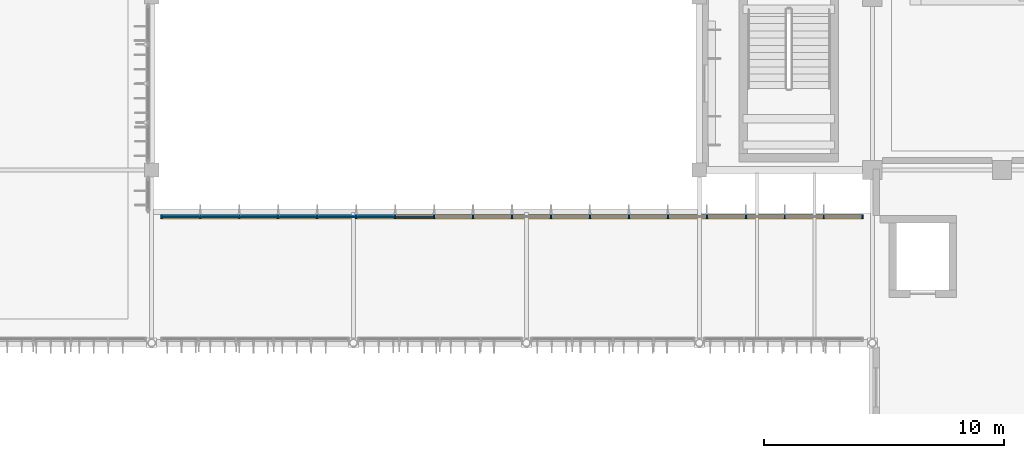
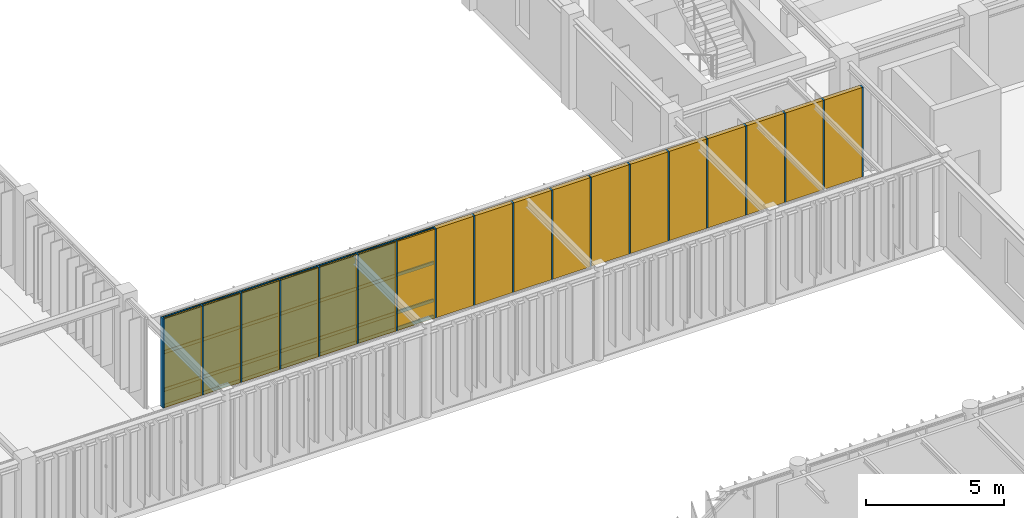
# One storey, part 73 of 104: 47 members, 18 plates, 1 curtain wall.
"""IFC4 building model written with IfcOpenShell, lengths in metres."""

from ifc_helpers import new_model, si_unit, direction, frame, frame_2d, origin, origin_2d, place, context, subcontext, project, spatial, rectangle, extrude, material, layer, layer_set, material_profile, profile_set, type_object, element, aggregate, save


model = new_model("IFC4")

# Units and contexts
model_context = context("Model", 3, precision=1e-05, world=origin(), true_north=direction((0.0, 1.0)))
body_context = subcontext(model_context, "Body", "Model", "MODEL_VIEW")
ifc_project = project(units=[si_unit("LENGTHUNIT", "METRE"), si_unit("AREAUNIT", "SQUARE_METRE"), si_unit("VOLUMEUNIT", "CUBIC_METRE"), si_unit("PLANEANGLEUNIT", "RADIAN"), si_unit("MASSUNIT", "GRAM", prefix="KILO")], contexts=[model_context])

# Member
ifc_material_1 = material(Name="Anodised Bronze Aluminium 6063-T6", Category="aluminium")
ifc_material_profile_1 = material_profile(ifc_material_1, rectangle(XDim=0.06005859375, YDim=0.179931640625, at=origin_2d()), Name="ALU MULLION 60x180")
ifc_profile_set_1 = profile_set([ifc_material_profile_1], Name="Anodised Bronze Aluminium 6063-T6")
member_type_1 = type_object("IfcMemberType", Name="Curtain-Wall Primary Mullion 60x180", PredefinedType="MULLION", material=ifc_profile_set_1)
site_placement = place(None, origin())
building_placement = place(site_placement, origin())
storey_placement = place(building_placement, frame((0.0, 0.0, 9.0)))
member_1_placement = place(storey_placement, frame((28.0, 49.85009765625, 0.0), z_axis=(0.0, 0.0, 1.0), x_axis=(1.0, 0.0, 0.0)))
member_1 = element("IfcMember", 1, at=member_1_placement, type_object=member_type_1, Name="Mullion CWM-01 CW-WLNK-N-L02-M01", PredefinedType="MULLION", context=body_context, shape_type="SweptSolid", body=[
    extrude(rectangle(XDim=0.06005859375, YDim=0.179931640625, at=origin_2d()), origin(), (0.0, 0.0, 1.0), 3.93994140625),
])

member_2_placement = place(storey_placement, frame((29.622314453125, 49.85009765625, 0.0), z_axis=(0.0, 0.0, 1.0), x_axis=(1.0, 0.0, 0.0)))
member_2 = element("IfcMember", 2, at=member_2_placement, type_object=member_type_1, Name="Mullion CWM-01 CW-WLNK-N-L02-M02", PredefinedType="MULLION", context=body_context, shape_type="SweptSolid", body=[
    extrude(rectangle(XDim=0.06005859375, YDim=0.179931640625, at=origin_2d()), origin(), (0.0, 0.0, 1.0), 3.93994140625),
])

member_3_placement = place(storey_placement, frame((31.244384765625, 49.85009765625, 0.0), z_axis=(0.0, 0.0, 1.0), x_axis=(1.0, 0.0, 0.0)))
member_3 = element("IfcMember", 3, at=member_3_placement, type_object=member_type_1, Name="Mullion CWM-01 CW-WLNK-N-L02-M03", PredefinedType="MULLION", context=body_context, shape_type="SweptSolid", body=[
    extrude(rectangle(XDim=0.06005859375, YDim=0.179931640625, at=origin_2d()), origin(), (0.0, 0.0, 1.0), 3.93994140625),
])

member_4_placement = place(storey_placement, frame((32.86669921875, 49.85009765625, 0.0), z_axis=(0.0, 0.0, 1.0), x_axis=(1.0, 0.0, 0.0)))
member_4 = element("IfcMember", 4, at=member_4_placement, type_object=member_type_1, Name="Mullion CWM-01 CW-WLNK-N-L02-M04", PredefinedType="MULLION", context=body_context, shape_type="SweptSolid", body=[
    extrude(rectangle(XDim=0.06005859375, YDim=0.179931640625, at=origin_2d()), origin(), (0.0, 0.0, 1.0), 3.93994140625),
])

member_5_placement = place(storey_placement, frame((34.489013671875, 49.85009765625, 0.0), z_axis=(0.0, 0.0, 1.0), x_axis=(1.0, 0.0, 0.0)))
member_5 = element("IfcMember", 5, at=member_5_placement, type_object=member_type_1, Name="Mullion CWM-01 CW-WLNK-N-L02-M05", PredefinedType="MULLION", context=body_context, shape_type="SweptSolid", body=[
    extrude(rectangle(XDim=0.06005859375, YDim=0.179931640625, at=origin_2d()), origin(), (0.0, 0.0, 1.0), 3.93994140625),
])

member_6_placement = place(storey_placement, frame((36.111083984375, 49.85009765625, 0.0), z_axis=(0.0, 0.0, 1.0), x_axis=(1.0, 0.0, 0.0)))
member_6 = element("IfcMember", 6, at=member_6_placement, type_object=member_type_1, Name="Mullion CWM-01 CW-WLNK-N-L02-M06", PredefinedType="MULLION", context=body_context, shape_type="SweptSolid", body=[
    extrude(rectangle(XDim=0.06005859375, YDim=0.179931640625, at=origin_2d()), origin(), (0.0, 0.0, 1.0), 3.93994140625),
])

member_7_placement = place(storey_placement, frame((37.7333984375, 49.85009765625, 0.0), z_axis=(0.0, 0.0, 1.0), x_axis=(1.0, 0.0, 0.0)))
member_7 = element("IfcMember", 7, at=member_7_placement, type_object=member_type_1, Name="Mullion CWM-01 CW-WLNK-N-L02-M07", PredefinedType="MULLION", context=body_context, shape_type="SweptSolid", body=[
    extrude(rectangle(XDim=0.06005859375, YDim=0.179931640625, at=origin_2d()), origin(), (0.0, 0.0, 1.0), 3.93994140625),
])

member_8_placement = place(storey_placement, frame((39.355712890625, 49.85009765625, 0.0), z_axis=(0.0, 0.0, 1.0), x_axis=(1.0, 0.0, 0.0)))
member_8 = element("IfcMember", 8, at=member_8_placement, type_object=member_type_1, Name="Mullion CWM-01 CW-WLNK-N-L02-M08", PredefinedType="MULLION", context=body_context, shape_type="SweptSolid", body=[
    extrude(rectangle(XDim=0.06005859375, YDim=0.179931640625, at=origin_2d()), origin(), (0.0, 0.0, 1.0), 3.93994140625),
])

member_9_placement = place(storey_placement, frame((40.977783203125, 49.85009765625, 0.0), z_axis=(0.0, 0.0, 1.0), x_axis=(1.0, 0.0, 0.0)))
member_9 = element("IfcMember", 9, at=member_9_placement, type_object=member_type_1, Name="Mullion CWM-01 CW-WLNK-N-L02-M09", PredefinedType="MULLION", context=body_context, shape_type="SweptSolid", body=[
    extrude(rectangle(XDim=0.06005859375, YDim=0.179931640625, at=origin_2d()), origin(), (0.0, 0.0, 1.0), 3.93994140625),
])

member_10_placement = place(storey_placement, frame((42.60009765625, 49.85009765625, 0.0), z_axis=(0.0, 0.0, 1.0), x_axis=(1.0, 0.0, 0.0)))
member_10 = element("IfcMember", 10, at=member_10_placement, type_object=member_type_1, Name="Mullion CWM-01 CW-WLNK-N-L02-M10", PredefinedType="MULLION", context=body_context, shape_type="SweptSolid", body=[
    extrude(rectangle(XDim=0.06005859375, YDim=0.179931640625, at=origin_2d()), origin(), (0.0, 0.0, 1.0), 3.93994140625),
])

member_11_placement = place(storey_placement, frame((44.22216796875, 49.85009765625, 0.0), z_axis=(0.0, 0.0, 1.0), x_axis=(1.0, 0.0, 0.0)))
member_11 = element("IfcMember", 11, at=member_11_placement, type_object=member_type_1, Name="Mullion CWM-01 CW-WLNK-N-L02-M11", PredefinedType="MULLION", context=body_context, shape_type="SweptSolid", body=[
    extrude(rectangle(XDim=0.06005859375, YDim=0.179931640625, at=origin_2d()), origin(), (0.0, 0.0, 1.0), 3.93994140625),
])

member_12_placement = place(storey_placement, frame((45.844482421875, 49.85009765625, 0.0), z_axis=(0.0, 0.0, 1.0), x_axis=(1.0, 0.0, 0.0)))
member_12 = element("IfcMember", 12, at=member_12_placement, type_object=member_type_1, Name="Mullion CWM-01 CW-WLNK-N-L02-M12", PredefinedType="MULLION", context=body_context, shape_type="SweptSolid", body=[
    extrude(rectangle(XDim=0.06005859375, YDim=0.179931640625, at=origin_2d()), origin(), (0.0, 0.0, 1.0), 3.93994140625),
])

member_13_placement = place(storey_placement, frame((47.466796875, 49.85009765625, 0.0), z_axis=(0.0, 0.0, 1.0), x_axis=(1.0, 0.0, 0.0)))
member_13 = element("IfcMember", 13, at=member_13_placement, type_object=member_type_1, Name="Mullion CWM-01 CW-WLNK-N-L02-M13", PredefinedType="MULLION", context=body_context, shape_type="SweptSolid", body=[
    extrude(rectangle(XDim=0.06005859375, YDim=0.179931640625, at=origin_2d()), origin(), (0.0, 0.0, 1.0), 3.93994140625),
])

member_14_placement = place(storey_placement, frame((49.0888671875, 49.85009765625, 0.0), z_axis=(0.0, 0.0, 1.0), x_axis=(1.0, 0.0, 0.0)))
member_14 = element("IfcMember", 14, at=member_14_placement, type_object=member_type_1, Name="Mullion CWM-01 CW-WLNK-N-L02-M14", PredefinedType="MULLION", context=body_context, shape_type="SweptSolid", body=[
    extrude(rectangle(XDim=0.06005859375, YDim=0.179931640625, at=origin_2d()), origin(), (0.0, 0.0, 1.0), 3.93994140625),
])

member_15_placement = place(storey_placement, frame((50.711181640625, 49.85009765625, 0.0), z_axis=(0.0, 0.0, 1.0), x_axis=(1.0, 0.0, 0.0)))
member_15 = element("IfcMember", 15, at=member_15_placement, type_object=member_type_1, Name="Mullion CWM-01 CW-WLNK-N-L02-M15", PredefinedType="MULLION", context=body_context, shape_type="SweptSolid", body=[
    extrude(rectangle(XDim=0.06005859375, YDim=0.179931640625, at=origin_2d()), origin(), (0.0, 0.0, 1.0), 3.93994140625),
])

member_16_placement = place(storey_placement, frame((52.333251953125, 49.85009765625, 0.0), z_axis=(0.0, 0.0, 1.0), x_axis=(1.0, 0.0, 0.0)))
member_16 = element("IfcMember", 16, at=member_16_placement, type_object=member_type_1, Name="Mullion CWM-01 CW-WLNK-N-L02-M16", PredefinedType="MULLION", context=body_context, shape_type="SweptSolid", body=[
    extrude(rectangle(XDim=0.06005859375, YDim=0.179931640625, at=origin_2d()), origin(), (0.0, 0.0, 1.0), 3.93994140625),
])

member_17_placement = place(storey_placement, frame((53.95556640625, 49.85009765625, 0.0), z_axis=(0.0, 0.0, 1.0), x_axis=(1.0, 0.0, 0.0)))
member_17 = element("IfcMember", 17, at=member_17_placement, type_object=member_type_1, Name="Mullion CWM-01 CW-WLNK-N-L02-M17", PredefinedType="MULLION", context=body_context, shape_type="SweptSolid", body=[
    extrude(rectangle(XDim=0.06005859375, YDim=0.179931640625, at=origin_2d()), origin(), (0.0, 0.0, 1.0), 3.93994140625),
])

member_18_placement = place(storey_placement, frame((55.577880859375, 49.85009765625, 0.0), z_axis=(0.0, 0.0, 1.0), x_axis=(1.0, 0.0, 0.0)))
member_18 = element("IfcMember", 18, at=member_18_placement, type_object=member_type_1, Name="Mullion CWM-01 CW-WLNK-N-L02-M18", PredefinedType="MULLION", context=body_context, shape_type="SweptSolid", body=[
    extrude(rectangle(XDim=0.06005859375, YDim=0.179931640625, at=origin_2d()), origin(), (0.0, 0.0, 1.0), 3.93994140625),
])

member_19_placement = place(storey_placement, frame((57.199951171875, 49.85009765625, 0.0), z_axis=(0.0, 0.0, 1.0), x_axis=(1.0, 0.0, 0.0)))
member_19 = element("IfcMember", 19, at=member_19_placement, type_object=member_type_1, Name="Mullion CWM-01 CW-WLNK-N-L02-M19", PredefinedType="MULLION", context=body_context, shape_type="SweptSolid", body=[
    extrude(rectangle(XDim=0.06005859375, YDim=0.179931640625, at=origin_2d()), origin(), (0.0, 0.0, 1.0), 3.93994140625),
])

ifc_material_profile_2 = material_profile(ifc_material_1, rectangle(XDim=0.06005859375, YDim=0.139892578125, at=origin_2d()), Name="ALU TRANSOM 60x140")
ifc_profile_set_2 = profile_set([ifc_material_profile_2], Name="Anodised Bronze Aluminium 6063-T6")
member_type_2 = type_object("IfcMemberType", Name="Curtain-Wall Transom 60x140", PredefinedType="USERDEFINED", material=ifc_profile_set_2)
member_20_placement = place(storey_placement, frame((28.034912109375, 49.85009765625, 0.0400390625), z_axis=(1.0, 0.0, 0.0), x_axis=(0.0, 1.0, 0.0)))
member_20 = element("IfcMember", 20, at=member_20_placement, type_object=member_type_2, Name="Transom CWT-01 CW-WLNK-N-L02-T01.1", ObjectType="TRANSOM", PredefinedType="USERDEFINED", context=body_context, shape_type="SweptSolid", body=[
    extrude(rectangle(XDim=0.06005859375, YDim=0.139892578125, at=origin_2d()), origin(), (0.0, 0.0, 1.0), 1.55224609375),
])

member_21_placement = place(storey_placement, frame((28.034912109375, 49.85009765625, 0.75), z_axis=(1.0, 0.0, 0.0), x_axis=(0.0, 1.0, 0.0)))
member_21 = element("IfcMember", 21, at=member_21_placement, type_object=member_type_2, Name="Transom CWT-01 CW-WLNK-N-L02-T01.2", ObjectType="TRANSOM", PredefinedType="USERDEFINED", context=body_context, shape_type="SweptSolid", body=[
    extrude(rectangle(XDim=0.06005859375, YDim=0.139892578125, at=origin_2d()), origin(), (0.0, 0.0, 1.0), 1.55224609375),
])

member_22_placement = place(storey_placement, frame((28.034912109375, 49.85009765625, 2.40869140625), z_axis=(1.0, 0.0, 0.0), x_axis=(0.0, 1.0, 0.0)))
member_22 = element("IfcMember", 22, at=member_22_placement, type_object=member_type_2, Name="Transom CWT-01 CW-WLNK-N-L02-T01.3", ObjectType="TRANSOM", PredefinedType="USERDEFINED", context=body_context, shape_type="SweptSolid", body=[
    extrude(rectangle(XDim=0.06005859375, YDim=0.139892578125, at=origin_2d()), origin(), (0.0, 0.0, 1.0), 1.55224609375),
])

member_23_placement = place(storey_placement, frame((28.034912109375, 49.85009765625, 3.89990234375), z_axis=(1.0, 0.0, 0.0), x_axis=(0.0, 1.0, 0.0)))
member_23 = element("IfcMember", 23, at=member_23_placement, type_object=member_type_2, Name="Transom CWT-01 CW-WLNK-N-L02-T01.4", ObjectType="TRANSOM", PredefinedType="USERDEFINED", context=body_context, shape_type="SweptSolid", body=[
    extrude(rectangle(XDim=0.06005859375, YDim=0.139892578125, at=origin_2d()), origin(), (0.0, 0.0, 1.0), 1.55224609375),
])

member_24_placement = place(storey_placement, frame((29.6572265625, 49.85009765625, 0.0400390625), z_axis=(1.0, 0.0, 0.0), x_axis=(0.0, 1.0, 0.0)))
member_24 = element("IfcMember", 24, at=member_24_placement, type_object=member_type_2, Name="Transom CWT-01 CW-WLNK-N-L02-T02.1", ObjectType="TRANSOM", PredefinedType="USERDEFINED", context=body_context, shape_type="SweptSolid", body=[
    extrude(rectangle(XDim=0.06005859375, YDim=0.139892578125, at=origin_2d()), origin(), (0.0, 0.0, 1.0), 1.55224609375),
])

member_25_placement = place(storey_placement, frame((29.6572265625, 49.85009765625, 0.75), z_axis=(1.0, 0.0, 0.0), x_axis=(0.0, 1.0, 0.0)))
member_25 = element("IfcMember", 25, at=member_25_placement, type_object=member_type_2, Name="Transom CWT-01 CW-WLNK-N-L02-T02.2", ObjectType="TRANSOM", PredefinedType="USERDEFINED", context=body_context, shape_type="SweptSolid", body=[
    extrude(rectangle(XDim=0.06005859375, YDim=0.139892578125, at=origin_2d()), origin(), (0.0, 0.0, 1.0), 1.55224609375),
])

member_26_placement = place(storey_placement, frame((29.6572265625, 49.85009765625, 2.40869140625), z_axis=(1.0, 0.0, 0.0), x_axis=(0.0, 1.0, 0.0)))
member_26 = element("IfcMember", 26, at=member_26_placement, type_object=member_type_2, Name="Transom CWT-01 CW-WLNK-N-L02-T02.3", ObjectType="TRANSOM", PredefinedType="USERDEFINED", context=body_context, shape_type="SweptSolid", body=[
    extrude(rectangle(XDim=0.06005859375, YDim=0.139892578125, at=origin_2d()), origin(), (0.0, 0.0, 1.0), 1.55224609375),
])

member_27_placement = place(storey_placement, frame((29.6572265625, 49.85009765625, 3.89990234375), z_axis=(1.0, 0.0, 0.0), x_axis=(0.0, 1.0, 0.0)))
member_27 = element("IfcMember", 27, at=member_27_placement, type_object=member_type_2, Name="Transom CWT-01 CW-WLNK-N-L02-T02.4", ObjectType="TRANSOM", PredefinedType="USERDEFINED", context=body_context, shape_type="SweptSolid", body=[
    extrude(rectangle(XDim=0.06005859375, YDim=0.139892578125, at=origin_2d()), origin(), (0.0, 0.0, 1.0), 1.55224609375),
])

member_28_placement = place(storey_placement, frame((31.279296875, 49.85009765625, 0.0400390625), z_axis=(1.0, 0.0, 0.0), x_axis=(0.0, 1.0, 0.0)))
member_28 = element("IfcMember", 28, at=member_28_placement, type_object=member_type_2, Name="Transom CWT-01 CW-WLNK-N-L02-T03.1", ObjectType="TRANSOM", PredefinedType="USERDEFINED", context=body_context, shape_type="SweptSolid", body=[
    extrude(rectangle(XDim=0.06005859375, YDim=0.139892578125, at=origin_2d()), origin(), (0.0, 0.0, 1.0), 1.552490234375),
])

member_29_placement = place(storey_placement, frame((31.279296875, 49.85009765625, 0.75), z_axis=(1.0, 0.0, 0.0), x_axis=(0.0, 1.0, 0.0)))
member_29 = element("IfcMember", 29, at=member_29_placement, type_object=member_type_2, Name="Transom CWT-01 CW-WLNK-N-L02-T03.2", ObjectType="TRANSOM", PredefinedType="USERDEFINED", context=body_context, shape_type="SweptSolid", body=[
    extrude(rectangle(XDim=0.06005859375, YDim=0.139892578125, at=origin_2d()), origin(), (0.0, 0.0, 1.0), 1.552490234375),
])

member_30_placement = place(storey_placement, frame((31.279296875, 49.85009765625, 2.40869140625), z_axis=(1.0, 0.0, 0.0), x_axis=(0.0, 1.0, 0.0)))
member_30 = element("IfcMember", 30, at=member_30_placement, type_object=member_type_2, Name="Transom CWT-01 CW-WLNK-N-L02-T03.3", ObjectType="TRANSOM", PredefinedType="USERDEFINED", context=body_context, shape_type="SweptSolid", body=[
    extrude(rectangle(XDim=0.06005859375, YDim=0.139892578125, at=origin_2d()), origin(), (0.0, 0.0, 1.0), 1.552490234375),
])

member_31_placement = place(storey_placement, frame((31.279296875, 49.85009765625, 3.89990234375), z_axis=(1.0, 0.0, 0.0), x_axis=(0.0, 1.0, 0.0)))
member_31 = element("IfcMember", 31, at=member_31_placement, type_object=member_type_2, Name="Transom CWT-01 CW-WLNK-N-L02-T03.4", ObjectType="TRANSOM", PredefinedType="USERDEFINED", context=body_context, shape_type="SweptSolid", body=[
    extrude(rectangle(XDim=0.06005859375, YDim=0.139892578125, at=origin_2d()), origin(), (0.0, 0.0, 1.0), 1.552490234375),
])

member_32_placement = place(storey_placement, frame((32.901611328125, 49.85009765625, 0.0400390625), z_axis=(1.0, 0.0, 0.0), x_axis=(0.0, 1.0, 0.0)))
member_32 = element("IfcMember", 32, at=member_32_placement, type_object=member_type_2, Name="Transom CWT-01 CW-WLNK-N-L02-T04.1", ObjectType="TRANSOM", PredefinedType="USERDEFINED", context=body_context, shape_type="SweptSolid", body=[
    extrude(rectangle(XDim=0.06005859375, YDim=0.139892578125, at=origin_2d()), origin(), (0.0, 0.0, 1.0), 1.55224609375),
])

member_33_placement = place(storey_placement, frame((32.901611328125, 49.85009765625, 0.75), z_axis=(1.0, 0.0, 0.0), x_axis=(0.0, 1.0, 0.0)))
member_33 = element("IfcMember", 33, at=member_33_placement, type_object=member_type_2, Name="Transom CWT-01 CW-WLNK-N-L02-T04.2", ObjectType="TRANSOM", PredefinedType="USERDEFINED", context=body_context, shape_type="SweptSolid", body=[
    extrude(rectangle(XDim=0.06005859375, YDim=0.139892578125, at=origin_2d()), origin(), (0.0, 0.0, 1.0), 1.55224609375),
])

member_34_placement = place(storey_placement, frame((32.901611328125, 49.85009765625, 2.40869140625), z_axis=(1.0, 0.0, 0.0), x_axis=(0.0, 1.0, 0.0)))
member_34 = element("IfcMember", 34, at=member_34_placement, type_object=member_type_2, Name="Transom CWT-01 CW-WLNK-N-L02-T04.3", ObjectType="TRANSOM", PredefinedType="USERDEFINED", context=body_context, shape_type="SweptSolid", body=[
    extrude(rectangle(XDim=0.06005859375, YDim=0.139892578125, at=origin_2d()), origin(), (0.0, 0.0, 1.0), 1.55224609375),
])

member_35_placement = place(storey_placement, frame((32.901611328125, 49.85009765625, 3.89990234375), z_axis=(1.0, 0.0, 0.0), x_axis=(0.0, 1.0, 0.0)))
member_35 = element("IfcMember", 35, at=member_35_placement, type_object=member_type_2, Name="Transom CWT-01 CW-WLNK-N-L02-T04.4", ObjectType="TRANSOM", PredefinedType="USERDEFINED", context=body_context, shape_type="SweptSolid", body=[
    extrude(rectangle(XDim=0.06005859375, YDim=0.139892578125, at=origin_2d()), origin(), (0.0, 0.0, 1.0), 1.55224609375),
])

member_36_placement = place(storey_placement, frame((34.52392578125, 49.85009765625, 0.0400390625), z_axis=(1.0, 0.0, 0.0), x_axis=(0.0, 1.0, 0.0)))
member_36 = element("IfcMember", 36, at=member_36_placement, type_object=member_type_2, Name="Transom CWT-01 CW-WLNK-N-L02-T05.1", ObjectType="TRANSOM", PredefinedType="USERDEFINED", context=body_context, shape_type="SweptSolid", body=[
    extrude(rectangle(XDim=0.06005859375, YDim=0.139892578125, at=origin_2d()), origin(), (0.0, 0.0, 1.0), 1.55224609375),
])

member_37_placement = place(storey_placement, frame((34.52392578125, 49.85009765625, 0.75), z_axis=(1.0, 0.0, 0.0), x_axis=(0.0, 1.0, 0.0)))
member_37 = element("IfcMember", 37, at=member_37_placement, type_object=member_type_2, Name="Transom CWT-01 CW-WLNK-N-L02-T05.2", ObjectType="TRANSOM", PredefinedType="USERDEFINED", context=body_context, shape_type="SweptSolid", body=[
    extrude(rectangle(XDim=0.06005859375, YDim=0.139892578125, at=origin_2d()), origin(), (0.0, 0.0, 1.0), 1.55224609375),
])

member_38_placement = place(storey_placement, frame((34.52392578125, 49.85009765625, 2.40869140625), z_axis=(1.0, 0.0, 0.0), x_axis=(0.0, 1.0, 0.0)))
member_38 = element("IfcMember", 38, at=member_38_placement, type_object=member_type_2, Name="Transom CWT-01 CW-WLNK-N-L02-T05.3", ObjectType="TRANSOM", PredefinedType="USERDEFINED", context=body_context, shape_type="SweptSolid", body=[
    extrude(rectangle(XDim=0.06005859375, YDim=0.139892578125, at=origin_2d()), origin(), (0.0, 0.0, 1.0), 1.55224609375),
])

member_39_placement = place(storey_placement, frame((34.52392578125, 49.85009765625, 3.89990234375), z_axis=(1.0, 0.0, 0.0), x_axis=(0.0, 1.0, 0.0)))
member_39 = element("IfcMember", 39, at=member_39_placement, type_object=member_type_2, Name="Transom CWT-01 CW-WLNK-N-L02-T05.4", ObjectType="TRANSOM", PredefinedType="USERDEFINED", context=body_context, shape_type="SweptSolid", body=[
    extrude(rectangle(XDim=0.06005859375, YDim=0.139892578125, at=origin_2d()), origin(), (0.0, 0.0, 1.0), 1.55224609375),
])

member_40_placement = place(storey_placement, frame((36.14599609375, 49.85009765625, 0.0400390625), z_axis=(1.0, 0.0, 0.0), x_axis=(0.0, 1.0, 0.0)))
member_40 = element("IfcMember", 40, at=member_40_placement, type_object=member_type_2, Name="Transom CWT-01 CW-WLNK-N-L02-T06.1", ObjectType="TRANSOM", PredefinedType="USERDEFINED", context=body_context, shape_type="SweptSolid", body=[
    extrude(rectangle(XDim=0.06005859375, YDim=0.139892578125, at=origin_2d()), origin(), (0.0, 0.0, 1.0), 1.55224609375),
])

member_41_placement = place(storey_placement, frame((36.14599609375, 49.85009765625, 0.75), z_axis=(1.0, 0.0, 0.0), x_axis=(0.0, 1.0, 0.0)))
member_41 = element("IfcMember", 41, at=member_41_placement, type_object=member_type_2, Name="Transom CWT-01 CW-WLNK-N-L02-T06.2", ObjectType="TRANSOM", PredefinedType="USERDEFINED", context=body_context, shape_type="SweptSolid", body=[
    extrude(rectangle(XDim=0.06005859375, YDim=0.139892578125, at=origin_2d()), origin(), (0.0, 0.0, 1.0), 1.55224609375),
])

member_42_placement = place(storey_placement, frame((36.14599609375, 49.85009765625, 2.40869140625), z_axis=(1.0, 0.0, 0.0), x_axis=(0.0, 1.0, 0.0)))
member_42 = element("IfcMember", 42, at=member_42_placement, type_object=member_type_2, Name="Transom CWT-01 CW-WLNK-N-L02-T06.3", ObjectType="TRANSOM", PredefinedType="USERDEFINED", context=body_context, shape_type="SweptSolid", body=[
    extrude(rectangle(XDim=0.06005859375, YDim=0.139892578125, at=origin_2d()), origin(), (0.0, 0.0, 1.0), 1.55224609375),
])

member_43_placement = place(storey_placement, frame((36.14599609375, 49.85009765625, 3.89990234375), z_axis=(1.0, 0.0, 0.0), x_axis=(0.0, 1.0, 0.0)))
member_43 = element("IfcMember", 43, at=member_43_placement, type_object=member_type_2, Name="Transom CWT-01 CW-WLNK-N-L02-T06.4", ObjectType="TRANSOM", PredefinedType="USERDEFINED", context=body_context, shape_type="SweptSolid", body=[
    extrude(rectangle(XDim=0.06005859375, YDim=0.139892578125, at=origin_2d()), origin(), (0.0, 0.0, 1.0), 1.55224609375),
])

member_44_placement = place(storey_placement, frame((37.768310546875, 49.85009765625, 0.0400390625), z_axis=(1.0, 0.0, 0.0), x_axis=(0.0, 1.0, 0.0)))
member_44 = element("IfcMember", 44, at=member_44_placement, type_object=member_type_2, Name="Transom CWT-01 CW-WLNK-N-L02-T07.1", ObjectType="TRANSOM", PredefinedType="USERDEFINED", context=body_context, shape_type="SweptSolid", body=[
    extrude(rectangle(XDim=0.06005859375, YDim=0.139892578125, at=origin_2d()), origin(), (0.0, 0.0, 1.0), 1.55224609375),
])

member_45_placement = place(storey_placement, frame((37.768310546875, 49.85009765625, 0.75), z_axis=(1.0, 0.0, 0.0), x_axis=(0.0, 1.0, 0.0)))
member_45 = element("IfcMember", 45, at=member_45_placement, type_object=member_type_2, Name="Transom CWT-01 CW-WLNK-N-L02-T07.2", ObjectType="TRANSOM", PredefinedType="USERDEFINED", context=body_context, shape_type="SweptSolid", body=[
    extrude(rectangle(XDim=0.06005859375, YDim=0.139892578125, at=origin_2d()), origin(), (0.0, 0.0, 1.0), 1.55224609375),
])

member_46_placement = place(storey_placement, frame((37.768310546875, 49.85009765625, 2.40869140625), z_axis=(1.0, 0.0, 0.0), x_axis=(0.0, 1.0, 0.0)))
member_46 = element("IfcMember", 46, at=member_46_placement, type_object=member_type_2, Name="Transom CWT-01 CW-WLNK-N-L02-T07.3", ObjectType="TRANSOM", PredefinedType="USERDEFINED", context=body_context, shape_type="SweptSolid", body=[
    extrude(rectangle(XDim=0.06005859375, YDim=0.139892578125, at=origin_2d()), origin(), (0.0, 0.0, 1.0), 1.55224609375),
])

member_47_placement = place(storey_placement, frame((37.768310546875, 49.85009765625, 3.89990234375), z_axis=(1.0, 0.0, 0.0), x_axis=(0.0, 1.0, 0.0)))
member_47 = element("IfcMember", 47, at=member_47_placement, type_object=member_type_2, Name="Transom CWT-01 CW-WLNK-N-L02-T07.4", ObjectType="TRANSOM", PredefinedType="USERDEFINED", context=body_context, shape_type="SweptSolid", body=[
    extrude(rectangle(XDim=0.06005859375, YDim=0.139892578125, at=origin_2d()), origin(), (0.0, 0.0, 1.0), 1.55224609375),
])

# Plate
ifc_material_2 = material(Name="Insulated Bronze Aluminium Spandrel Panel", Category="aluminium")
ifc_layer_1 = layer(ifc_material_2, 0.050048828125, Name="Insulated Bronze Aluminium Spandrel Panel")
ifc_layer_set_1 = layer_set([ifc_layer_1], Name="Insulated Bronze Aluminium Spandrel Panel")
plate_type_1 = type_object("IfcPlateType", Name="Insulated Anodised Aluminium Spandrel Cassette 50", PredefinedType="CURTAIN_PANEL", material=ifc_layer_set_1)
plate_1_placement = place(storey_placement, frame((28.81103515625, 49.85009765625, 0.070068359375), z_axis=(0.0, 0.0, 1.0), x_axis=(1.0, 0.0, 0.0)))
plate_1 = element("IfcPlate", 48, at=plate_1_placement, type_object=plate_type_1, Name="Curtain Panel CWP-03 CW-WLNK-N-L02-P01.1", PredefinedType="CURTAIN_PANEL", context=body_context, shape_type="SweptSolid", body=[
    extrude(rectangle(XDim=1.55224609375, YDim=0.050048828125, at=origin_2d()), origin(), (0.0, 0.0, 1.0), 0.64990234375),
])

plate_2_placement = place(storey_placement, frame((30.433349609375, 49.85009765625, 0.070068359375), z_axis=(0.0, 0.0, 1.0), x_axis=(1.0, 0.0, 0.0)))
plate_2 = element("IfcPlate", 49, at=plate_2_placement, type_object=plate_type_1, Name="Curtain Panel CWP-03 CW-WLNK-N-L02-P02.1", PredefinedType="CURTAIN_PANEL", context=body_context, shape_type="SweptSolid", body=[
    extrude(rectangle(XDim=1.55224609375, YDim=0.050048828125, at=origin_2d()), origin(), (0.0, 0.0, 1.0), 0.64990234375),
])

plate_3_placement = place(storey_placement, frame((32.0556640625, 49.85009765625, 0.070068359375), z_axis=(0.0, 0.0, 1.0), x_axis=(1.0, 0.0, 0.0)))
plate_3 = element("IfcPlate", 50, at=plate_3_placement, type_object=plate_type_1, Name="Curtain Panel CWP-03 CW-WLNK-N-L02-P03.1", PredefinedType="CURTAIN_PANEL", context=body_context, shape_type="SweptSolid", body=[
    extrude(rectangle(XDim=1.55224609375, YDim=0.050048828125, at=origin_2d()), origin(), (0.0, 0.0, 1.0), 0.64990234375),
])

plate_4_placement = place(storey_placement, frame((33.677734375, 49.85009765625, 0.070068359375), z_axis=(0.0, 0.0, 1.0), x_axis=(1.0, 0.0, 0.0)))
plate_4 = element("IfcPlate", 51, at=plate_4_placement, type_object=plate_type_1, Name="Curtain Panel CWP-03 CW-WLNK-N-L02-P04.1", PredefinedType="CURTAIN_PANEL", context=body_context, shape_type="SweptSolid", body=[
    extrude(rectangle(XDim=1.55224609375, YDim=0.050048828125, at=origin_2d()), origin(), (0.0, 0.0, 1.0), 0.64990234375),
])

plate_5_placement = place(storey_placement, frame((35.300048828125, 49.85009765625, 0.070068359375), z_axis=(0.0, 0.0, 1.0), x_axis=(1.0, 0.0, 0.0)))
plate_5 = element("IfcPlate", 52, at=plate_5_placement, type_object=plate_type_1, Name="Curtain Panel CWP-03 CW-WLNK-N-L02-P05.1", PredefinedType="CURTAIN_PANEL", context=body_context, shape_type="SweptSolid", body=[
    extrude(rectangle(XDim=1.55224609375, YDim=0.050048828125, at=origin_2d()), origin(), (0.0, 0.0, 1.0), 0.64990234375),
])

plate_6_placement = place(storey_placement, frame((36.922119140625, 49.85009765625, 0.070068359375), z_axis=(0.0, 0.0, 1.0), x_axis=(1.0, 0.0, 0.0)))
plate_6 = element("IfcPlate", 53, at=plate_6_placement, type_object=plate_type_1, Name="Curtain Panel CWP-03 CW-WLNK-N-L02-P06.1", PredefinedType="CURTAIN_PANEL", context=body_context, shape_type="SweptSolid", body=[
    extrude(rectangle(XDim=1.55224609375, YDim=0.050048828125, at=origin_2d()), origin(), (0.0, 0.0, 1.0), 0.64990234375),
])

ifc_material_3 = material(Name="Solar-Control Tempered Double Glazing", Category="glass")
ifc_layer_2 = layer(ifc_material_3, 0.0380859375, Name="Solar-Control Tempered Double Glazing")
ifc_layer_set_2 = layer_set([ifc_layer_2], Name="Solar-Control Tempered Double Glazing")
plate_type_2 = type_object("IfcPlateType", Name="Solar-Control Vision Glazing Unit 38", PredefinedType="CURTAIN_PANEL", material=ifc_layer_set_2)
plate_7_placement = place(storey_placement, frame((28.81103515625, 49.85009765625, 0.77978515625), z_axis=(0.0, 0.0, 1.0), x_axis=(1.0, 0.0, 0.0)))
plate_7 = element("IfcPlate", 54, at=plate_7_placement, type_object=plate_type_2, Name="Curtain Panel CWP-02 CW-WLNK-N-L02-P01.2", PredefinedType="CURTAIN_PANEL", context=body_context, shape_type="SweptSolid", body=[
    extrude(rectangle(XDim=1.55224609375, YDim=0.0380859375, at=origin_2d()), origin(), (0.0, 0.0, 1.0), 1.598876953125),
])

plate_8_placement = place(storey_placement, frame((28.81103515625, 49.85009765625, 2.438720703125), z_axis=(0.0, 0.0, 1.0), x_axis=(1.0, 0.0, 0.0)))
plate_8 = element("IfcPlate", 55, at=plate_8_placement, type_object=plate_type_2, Name="Curtain Panel CWP-02 CW-WLNK-N-L02-P01.3", PredefinedType="CURTAIN_PANEL", context=body_context, shape_type="SweptSolid", body=[
    extrude(rectangle(XDim=1.55224609375, YDim=0.0380859375, at=origin_2d()), origin(), (0.0, 0.0, 1.0), 1.43115234375),
])

plate_9_placement = place(storey_placement, frame((30.433349609375, 49.85009765625, 0.77978515625), z_axis=(0.0, 0.0, 1.0), x_axis=(1.0, 0.0, 0.0)))
plate_9 = element("IfcPlate", 56, at=plate_9_placement, type_object=plate_type_2, Name="Curtain Panel CWP-02 CW-WLNK-N-L02-P02.2", PredefinedType="CURTAIN_PANEL", context=body_context, shape_type="SweptSolid", body=[
    extrude(rectangle(XDim=1.55224609375, YDim=0.0380859375, at=origin_2d()), origin(), (0.0, 0.0, 1.0), 1.598876953125),
])

plate_10_placement = place(storey_placement, frame((30.433349609375, 49.85009765625, 2.438720703125), z_axis=(0.0, 0.0, 1.0), x_axis=(1.0, 0.0, 0.0)))
plate_10 = element("IfcPlate", 57, at=plate_10_placement, type_object=plate_type_2, Name="Curtain Panel CWP-02 CW-WLNK-N-L02-P02.3", PredefinedType="CURTAIN_PANEL", context=body_context, shape_type="SweptSolid", body=[
    extrude(rectangle(XDim=1.55224609375, YDim=0.0380859375, at=origin_2d()), origin(), (0.0, 0.0, 1.0), 1.43115234375),
])

plate_11_placement = place(storey_placement, frame((32.0556640625, 49.85009765625, 0.77978515625), z_axis=(0.0, 0.0, 1.0), x_axis=(1.0, 0.0, 0.0)))
plate_11 = element("IfcPlate", 58, at=plate_11_placement, type_object=plate_type_2, Name="Curtain Panel CWP-02 CW-WLNK-N-L02-P03.2", PredefinedType="CURTAIN_PANEL", context=body_context, shape_type="SweptSolid", body=[
    extrude(rectangle(XDim=1.55224609375, YDim=0.0380859375, at=origin_2d()), origin(), (0.0, 0.0, 1.0), 1.598876953125),
])

plate_12_placement = place(storey_placement, frame((32.0556640625, 49.85009765625, 2.438720703125), z_axis=(0.0, 0.0, 1.0), x_axis=(1.0, 0.0, 0.0)))
plate_12 = element("IfcPlate", 59, at=plate_12_placement, type_object=plate_type_2, Name="Curtain Panel CWP-02 CW-WLNK-N-L02-P03.3", PredefinedType="CURTAIN_PANEL", context=body_context, shape_type="SweptSolid", body=[
    extrude(rectangle(XDim=1.55224609375, YDim=0.0380859375, at=origin_2d()), origin(), (0.0, 0.0, 1.0), 1.43115234375),
])

plate_13_placement = place(storey_placement, frame((33.677734375, 49.85009765625, 0.77978515625), z_axis=(0.0, 0.0, 1.0), x_axis=(1.0, 0.0, 0.0)))
plate_13 = element("IfcPlate", 60, at=plate_13_placement, type_object=plate_type_2, Name="Curtain Panel CWP-02 CW-WLNK-N-L02-P04.2", PredefinedType="CURTAIN_PANEL", context=body_context, shape_type="SweptSolid", body=[
    extrude(rectangle(XDim=1.55224609375, YDim=0.0380859375, at=origin_2d()), origin(), (0.0, 0.0, 1.0), 1.598876953125),
])

plate_14_placement = place(storey_placement, frame((33.677734375, 49.85009765625, 2.438720703125), z_axis=(0.0, 0.0, 1.0), x_axis=(1.0, 0.0, 0.0)))
plate_14 = element("IfcPlate", 61, at=plate_14_placement, type_object=plate_type_2, Name="Curtain Panel CWP-02 CW-WLNK-N-L02-P04.3", PredefinedType="CURTAIN_PANEL", context=body_context, shape_type="SweptSolid", body=[
    extrude(rectangle(XDim=1.55224609375, YDim=0.0380859375, at=origin_2d()), origin(), (0.0, 0.0, 1.0), 1.43115234375),
])

plate_15_placement = place(storey_placement, frame((35.300048828125, 49.85009765625, 0.77978515625), z_axis=(0.0, 0.0, 1.0), x_axis=(1.0, 0.0, 0.0)))
plate_15 = element("IfcPlate", 62, at=plate_15_placement, type_object=plate_type_2, Name="Curtain Panel CWP-02 CW-WLNK-N-L02-P05.2", PredefinedType="CURTAIN_PANEL", context=body_context, shape_type="SweptSolid", body=[
    extrude(rectangle(XDim=1.55224609375, YDim=0.0380859375, at=origin_2d()), origin(), (0.0, 0.0, 1.0), 1.598876953125),
])

plate_16_placement = place(storey_placement, frame((35.300048828125, 49.85009765625, 2.438720703125), z_axis=(0.0, 0.0, 1.0), x_axis=(1.0, 0.0, 0.0)))
plate_16 = element("IfcPlate", 63, at=plate_16_placement, type_object=plate_type_2, Name="Curtain Panel CWP-02 CW-WLNK-N-L02-P05.3", PredefinedType="CURTAIN_PANEL", context=body_context, shape_type="SweptSolid", body=[
    extrude(rectangle(XDim=1.55224609375, YDim=0.0380859375, at=origin_2d()), origin(), (0.0, 0.0, 1.0), 1.43115234375),
])

plate_17_placement = place(storey_placement, frame((36.922119140625, 49.85009765625, 0.77978515625), z_axis=(0.0, 0.0, 1.0), x_axis=(1.0, 0.0, 0.0)))
plate_17 = element("IfcPlate", 64, at=plate_17_placement, type_object=plate_type_2, Name="Curtain Panel CWP-02 CW-WLNK-N-L02-P06.2", PredefinedType="CURTAIN_PANEL", context=body_context, shape_type="SweptSolid", body=[
    extrude(rectangle(XDim=1.55224609375, YDim=0.0380859375, at=origin_2d()), origin(), (0.0, 0.0, 1.0), 1.598876953125),
])

plate_18_placement = place(storey_placement, frame((36.922119140625, 49.85009765625, 2.438720703125), z_axis=(0.0, 0.0, 1.0), x_axis=(1.0, 0.0, 0.0)))
plate_18 = element("IfcPlate", 65, at=plate_18_placement, type_object=plate_type_2, Name="Curtain Panel CWP-02 CW-WLNK-N-L02-P06.3", PredefinedType="CURTAIN_PANEL", context=body_context, shape_type="SweptSolid", body=[
    extrude(rectangle(XDim=1.55224609375, YDim=0.0380859375, at=origin_2d()), origin(), (0.0, 0.0, 1.0), 1.43115234375),
])

# Site, building, storey
site = spatial("IfcSite", under=ifc_project, at=site_placement, CompositionType="ELEMENT")
building = spatial("IfcBuilding", under=site, at=building_placement, Name="Tazoul Stagehouse", CompositionType="ELEMENT")
storey = spatial("IfcBuildingStorey", under=building, at=storey_placement, Name="L02", CompositionType="ELEMENT", Elevation=9.0)

# Curtain wall
curtain_wall_type = type_object("IfcCurtainWallType", Name="Atrium Clerestory Glazed Wall", PredefinedType="NOTDEFINED", material=ifc_material_1)
curtain_wall_placement = place(storey_placement, frame((28.0, 49.85009765625, 0.0), z_axis=(0.0, 0.0, 1.0), x_axis=(1.0, 0.0, 0.0)))
curtain_wall = element("IfcCurtainWall", 66, at=curtain_wall_placement, inside=storey, type_object=curtain_wall_type, Name="L02 Curtain Wall CW-05 (CW-WLNK-N-L02)", PredefinedType="NOTDEFINED", context=body_context, shape_type="SweptSolid", body=[
    extrude(rectangle(XDim=29.199951171875, YDim=0.179931640625, at=frame_2d((14.60009765625, 0.0))), origin(), (0.0, 0.0, 1.0), 3.93994140625),
])

aggregate(curtain_wall, [member_1, member_2, member_3, member_4, member_5, member_6, member_7, member_8, member_9, member_10, member_11, member_12, member_13, member_14, member_15, member_16, member_17, member_18, member_19, member_20, member_21, member_22, member_23, plate_1, plate_7, plate_8, member_24, member_25, member_26, member_27, plate_2, plate_9, plate_10, member_28, member_29, member_30, member_31, plate_3, plate_11, plate_12, member_32, member_33, member_34, member_35, plate_4, plate_13, plate_14, member_36, member_37, member_38, member_39, plate_5, plate_15, plate_16, member_40, member_41, member_42, member_43, plate_6, plate_17, plate_18, member_44, member_45, member_46, member_47])

save(model, "model.ifc")
